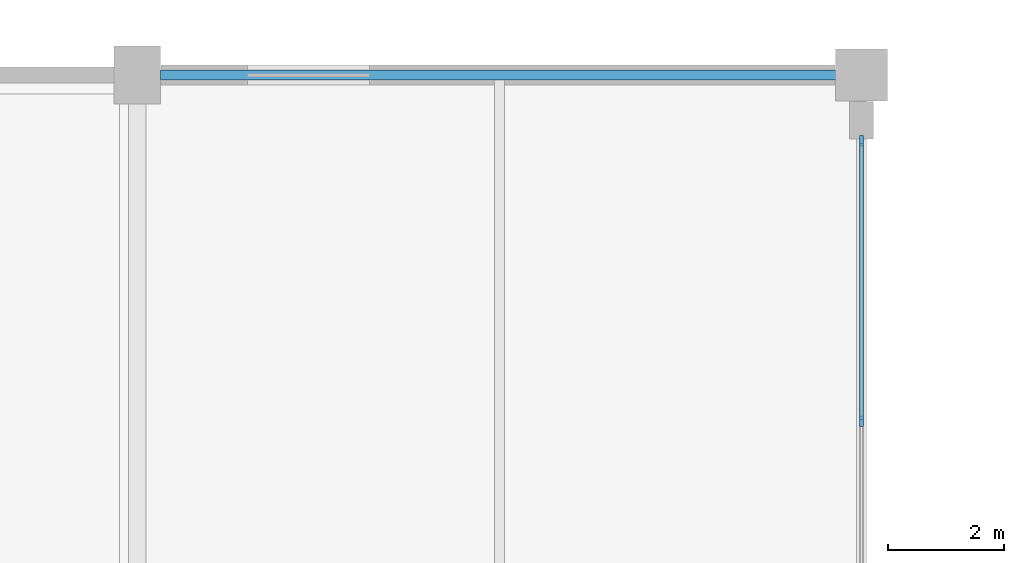
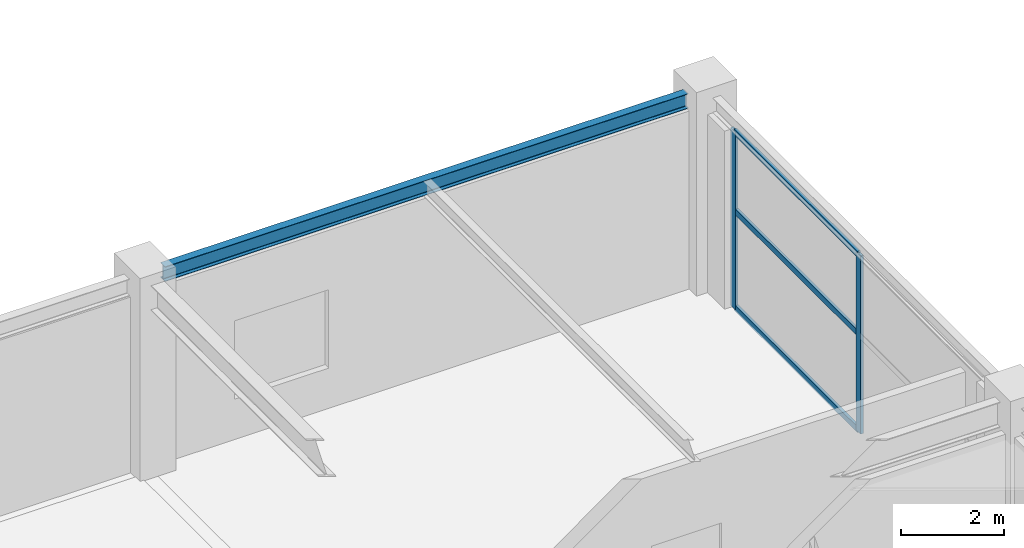
# One storey, part 63 of 134: 5 members, 1 beam, 1 element without a shape of its own.
"""IFC4 building model written with IfcOpenShell, lengths in metres."""

from ifc_helpers import new_model, si_unit, direction, frame, origin, origin_2d, place, context, subcontext, project, spatial, rectangle, i_section, extrude, material, layer, layer_set, material_profile, profile_set, type_object, element, aggregate, save


model = new_model("IFC4")

# Units and contexts
model_context = context("Model", 3, precision=1e-05, world=origin(), true_north=direction((0.0, 1.0)))
body_context = subcontext(model_context, "Body", "Model", "MODEL_VIEW")
ifc_project = project(units=[si_unit("LENGTHUNIT", "METRE"), si_unit("AREAUNIT", "SQUARE_METRE"), si_unit("VOLUMEUNIT", "CUBIC_METRE"), si_unit("PLANEANGLEUNIT", "RADIAN"), si_unit("MASSUNIT", "GRAM", prefix="KILO")], contexts=[model_context])

# Site, building, storey
site_placement = place(None, origin())
site = spatial("IfcSite", under=ifc_project, at=site_placement, CompositionType="ELEMENT")
building_placement = place(site_placement, origin())
building = spatial("IfcBuilding", under=site, at=building_placement, Name="Kazenohara Klinker Stadium", CompositionType="ELEMENT")
storey_placement = place(building_placement, frame((0.0, 0.0, 5.39990234375)))
storey = spatial("IfcBuildingStorey", under=building, at=storey_placement, Name="L01", CompositionType="ELEMENT", Elevation=5.39990234375)

# Beam
ifc_material_1 = material(Name="Steel S355", Category="steel")
ifc_material_profile_1 = material_profile(ifc_material_1, i_section(OverallWidth=0.175048828125, OverallDepth=0.35009765625, WebThickness=0.007080078125, FlangeThickness=0.010986328125, FilletRadius=0.012939453125, at=origin_2d()), Name="H-350x175x7x11")
ifc_profile_set_1 = profile_set([ifc_material_profile_1], Name="Steel S355")
beam_type = type_object("IfcBeamType", Name="BM-SPD02", PredefinedType="SPANDREL", material=ifc_profile_set_1)
beam_placement = place(storey_placement, frame((162.89990234375, 168.0, 4.375), z_axis=(1.0, 0.0, 0.0), x_axis=(0.0, 1.0, 0.0)))
element("IfcBeam", 1, at=beam_placement, inside=storey, type_object=beam_type, Name="Primary girder SP02 L01 14-15/Q", PredefinedType="SPANDREL", context=body_context, shape_type="SweptSolid", body=[
    extrude(i_section(OverallWidth=0.175048828125, OverallDepth=0.35009765625, WebThickness=0.007080078125, FlangeThickness=0.010986328125, FilletRadius=0.012939453125, at=origin_2d()), origin(), (0.0, 0.0, 1.0), 11.68017578125),
])

# Curtain wall, members
ifc_material_2 = material(Name="Anodised aluminium and triple glazing", Category="aluminium")
ifc_layer = layer(ifc_material_2, 0.199951171875)
ifc_layer_set = layer_set([ifc_layer], Name="Anodised aluminium and triple glazing")
curtain_wall_type = type_object("IfcCurtainWallType", Name="CW-SYS-03", PredefinedType="USERDEFINED", material=ifc_layer_set)
curtain_wall_placement = place(storey_placement, origin())
curtain_wall = element("IfcCurtainWall", 2, at=curtain_wall_placement, inside=storey, type_object=curtain_wall_type, Name="Unitised facade curtain wall CW03 L01 Y14-13", ObjectType="UNITISED CURTAIN WALL", PredefinedType="USERDEFINED")
ifc_material_3 = material(Name="Anodised aluminium 6063-T6", Category="aluminium")
ifc_material_profile_2 = material_profile(ifc_material_3, rectangle(XDim=0.06494140625, YDim=0.179931640625, at=origin_2d()), Name="ALU-MUL-65x180")
ifc_profile_set_2 = profile_set([ifc_material_profile_2], Name="Anodised aluminium 6063-T6")
member_type_1 = type_object("IfcMemberType", Name="CW-MUL-180", PredefinedType="MULLION", material=ifc_profile_set_2)
member_1_placement = place(storey_placement, frame((175.0, 162.02490234375, 0.0), z_axis=(0.0, 0.0, 1.0), x_axis=(-1.0, 0.0, 0.0)))
member_1 = element("IfcMember", 3, at=member_1_placement, type_object=member_type_1, Name="CW03 mullion 2", PredefinedType="MULLION", context=body_context, shape_type="SweptSolid", body=[
    extrude(rectangle(XDim=0.06494140625, YDim=0.179931640625, at=origin_2d()), origin(), (0.0, 0.0, 1.0), 4.2001953125),
])
member_2_placement = place(storey_placement, frame((175.0, 166.863525390625, 0.0), z_axis=(0.0, 0.0, 1.0), x_axis=(-1.0, 0.0, 0.0)))
member_2 = element("IfcMember", 4, at=member_2_placement, type_object=member_type_1, Name="CW03 mullion 3", PredefinedType="MULLION", context=body_context, shape_type="SweptSolid", body=[
    extrude(rectangle(XDim=0.06494140625, YDim=0.179931640625, at=origin_2d()), origin(), (0.0, 0.0, 1.0), 4.2001953125),
])
ifc_material_profile_3 = material_profile(ifc_material_3, rectangle(XDim=0.06494140625, YDim=0.139892578125, at=origin_2d()), Name="ALU-TRN-65x140")
ifc_profile_set_3 = profile_set([ifc_material_profile_3], Name="Anodised aluminium 6063-T6")
member_type_2 = type_object("IfcMemberType", Name="CW-TRN-140", PredefinedType="USERDEFINED", material=ifc_profile_set_3)
member_3_placement = place(storey_placement, frame((175.0, 162.0576171875, 0.03271484375), z_axis=(0.0, 1.0, 0.0), x_axis=(-1.0, 0.0, 0.0)))
member_3 = element("IfcMember", 5, at=member_3_placement, type_object=member_type_2, Name="CW03 transom 2.1", ObjectType="TRANSOM", PredefinedType="USERDEFINED", context=body_context, shape_type="SweptSolid", body=[
    extrude(rectangle(XDim=0.06494140625, YDim=0.139892578125, at=origin_2d()), origin(), (0.0, 0.0, 1.0), 4.7734375),
])
member_4_placement = place(storey_placement, frame((175.0, 162.0576171875, 2.31005859375), z_axis=(0.0, 1.0, 0.0), x_axis=(-1.0, 0.0, 0.0)))
member_4 = element("IfcMember", 6, at=member_4_placement, type_object=member_type_2, Name="CW03 transom 2.2", ObjectType="TRANSOM", PredefinedType="USERDEFINED", context=body_context, shape_type="SweptSolid", body=[
    extrude(rectangle(XDim=0.06494140625, YDim=0.139892578125, at=origin_2d()), origin(), (0.0, 0.0, 1.0), 4.7734375),
])
member_5_placement = place(storey_placement, frame((175.0, 162.0576171875, 4.16748046875), z_axis=(0.0, 1.0, 0.0), x_axis=(-1.0, 0.0, 0.0)))
member_5 = element("IfcMember", 7, at=member_5_placement, type_object=member_type_2, Name="CW03 transom 2.3", ObjectType="TRANSOM", PredefinedType="USERDEFINED", context=body_context, shape_type="SweptSolid", body=[
    extrude(rectangle(XDim=0.06494140625, YDim=0.139892578125, at=origin_2d()), origin(), (0.0, 0.0, 1.0), 4.7734375),
])
aggregate(curtain_wall, [member_1, member_2, member_3, member_4, member_5])

save(model, "model.ifc")
